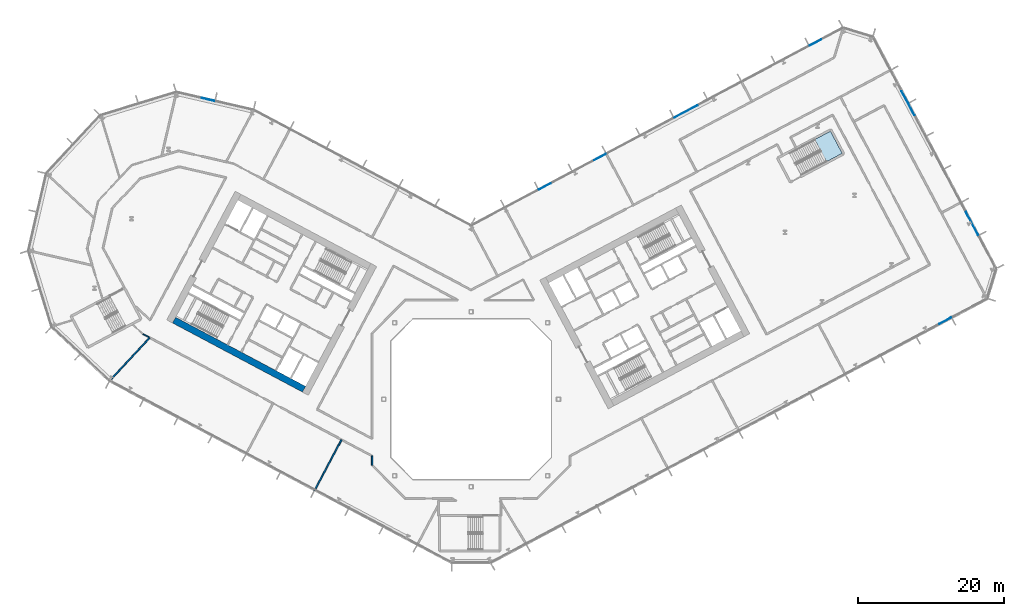
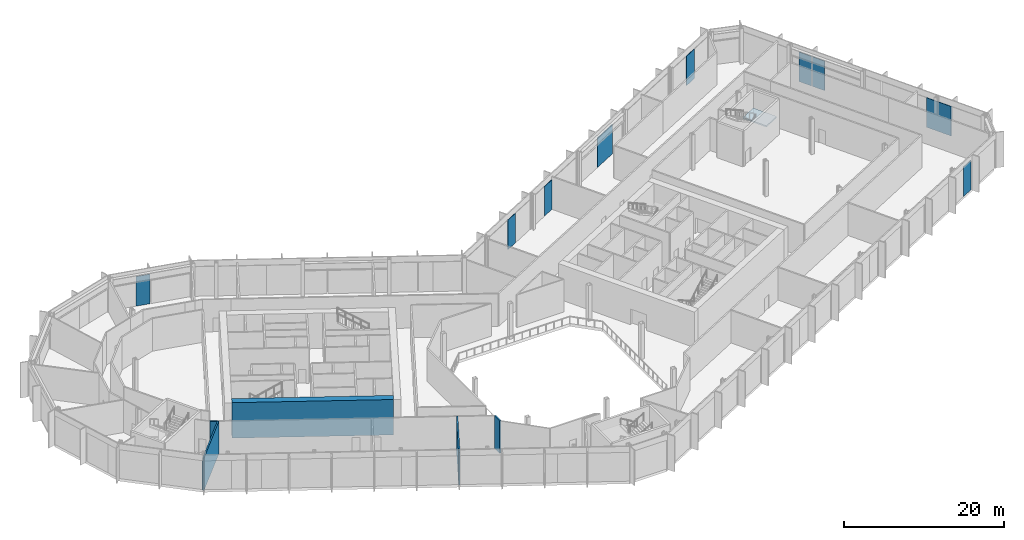
# One storey, part 11 of 31: 9 plates, 5 walls, 1 slab, 5 elements without a shape of their own.
"""IFC4 building model written with IfcOpenShell, lengths in metres."""

from ifc_helpers import new_model, si_unit, direction, frame, frame_2d, origin, origin_2d, place, context, subcontext, project, spatial, polyline, rectangle, outline, extrude, material, layer, layer_set, type_object, element, aggregate, save


model = new_model("IFC4")

# Units and contexts
model_context = context("Model", 3, precision=1e-05, world=origin(), true_north=direction((0.0, 1.0)))
body_context = subcontext(model_context, "Body", "Model", "MODEL_VIEW")
ifc_project = project(units=[si_unit("LENGTHUNIT", "METRE"), si_unit("AREAUNIT", "SQUARE_METRE"), si_unit("VOLUMEUNIT", "CUBIC_METRE"), si_unit("PLANEANGLEUNIT", "RADIAN"), si_unit("MASSUNIT", "GRAM", prefix="KILO")], contexts=[model_context])

# Site, building, storey
site_placement = place(None, origin())
site = spatial("IfcSite", under=ifc_project, at=site_placement, CompositionType="ELEMENT")
building_placement = place(site_placement, origin())
building = spatial("IfcBuilding", under=site, at=building_placement, Name="Cormorant Relay Tower", CompositionType="ELEMENT")
storey_placement = place(building_placement, frame((0.0, 0.0, 23.0)))
storey = spatial("IfcBuildingStorey", under=building, at=storey_placement, Name="L04", CompositionType="ELEMENT", Elevation=23.0)

# Curtain wall, plate
ifc_material_1 = material(Name="Aluminium 6063-T6 anodised bronze", Category="aluminium")
ifc_layer_1 = layer(ifc_material_1, 0.235107421875)
ifc_layer_set_1 = layer_set([ifc_layer_1], Name="CW6 data hall curtain wall with mineral wool panels")
curtain_wall_type = type_object("IfcCurtainWallType", Name="CW6 data hall curtain wall with mineral wool panels", PredefinedType="NOTDEFINED", material=ifc_layer_set_1)
curtain_wall_1_placement = place(storey_placement, origin())
curtain_wall_1 = element("IfcCurtainWall", 1, at=curtain_wall_1_placement, inside=storey, type_object=curtain_wall_type, Name="CW6 curtain wall 2", PredefinedType="NOTDEFINED")
ifc_material_2 = material(Name="Tinted triple-glazed laminated unit")
ifc_layer_2 = layer(ifc_material_2, 0.074951171875)
ifc_layer_set_2 = layer_set([ifc_layer_2], Name="CW6 triple-glazed vision unit 1800 module")
plate_type_1 = type_object("IfcPlateType", Name="CW6 triple-glazed vision unit 1800 module", PredefinedType="CURTAIN_PANEL", material=ifc_layer_set_2)
plate_1_placement = place(storey_placement, frame((65.072265625, 10.773193359375, 0.0), z_axis=(0.0, 0.0, 1.0), x_axis=(0.882947592859, 0.469471562786, 0.0)))
plate_1 = element("IfcPlate", 2, at=plate_1_placement, type_object=plate_type_1, Name="CW6 panel V12", PredefinedType="CURTAIN_PANEL", context=body_context, shape_type="SweptSolid", body=[
    extrude(rectangle(XDim=1.800048828125, YDim=0.074951171875, at=origin_2d()), origin(), (0.0, 0.0, 1.0), 4.5),
])
aggregate(curtain_wall_1, [plate_1])

# Curtain wall, plates
curtain_wall_2_placement = place(storey_placement, origin())
curtain_wall_2 = element("IfcCurtainWall", 3, at=curtain_wall_2_placement, inside=storey, type_object=curtain_wall_type, Name="CW6 curtain wall 4", PredefinedType="NOTDEFINED")
plate_2_placement = place(storey_placement, frame((60.44140625, 39.77001953125, 0.0), z_axis=(0.0, 0.0, 1.0), x_axis=(-0.469471562786, 0.882947592859, 0.0)))
plate_2 = element("IfcPlate", 4, at=plate_2_placement, type_object=plate_type_1, Name="CW6 panel V04", PredefinedType="CURTAIN_PANEL", context=body_context, shape_type="SweptSolid", body=[
    extrude(rectangle(XDim=1.800048828125, YDim=0.074951171875, at=origin_2d()), origin(), (0.0, 0.0, 1.0), 4.5),
])
plate_3_placement = place(storey_placement, frame((59.52587890625, 41.49169921875, 0.0), z_axis=(0.0, 0.0, 1.0), x_axis=(-0.469471562786, 0.882947592859, 0.0)))
plate_3 = element("IfcPlate", 5, at=plate_3_placement, type_object=plate_type_1, Name="CW6 panel V05", PredefinedType="CURTAIN_PANEL", context=body_context, shape_type="SweptSolid", body=[
    extrude(rectangle(XDim=1.800048828125, YDim=0.074951171875, at=origin_2d()), origin(), (0.0, 0.0, 1.0), 4.5),
])

curtain_wall_3_placement = place(storey_placement, origin())
curtain_wall_3 = element("IfcCurtainWall", 6, at=curtain_wall_3_placement, inside=storey, type_object=curtain_wall_type, Name="CW6 curtain wall 6", PredefinedType="NOTDEFINED")
plate_4_placement = place(storey_placement, frame((47.265380859375, 48.9580078125, 0.0), z_axis=(0.0, 0.0, 1.0), x_axis=(-0.882947592859, -0.469471562786, 0.0)))
plate_4 = element("IfcPlate", 7, at=plate_4_placement, type_object=plate_type_1, Name="CW6 panel V01", PredefinedType="CURTAIN_PANEL", context=body_context, shape_type="SweptSolid", body=[
    extrude(rectangle(XDim=1.800048828125, YDim=0.074951171875, at=origin_2d()), origin(), (0.0, 0.0, 1.0), 4.5),
])
plate_5_placement = place(storey_placement, frame((17.6904296875, 33.232666015625, 0.0), z_axis=(0.0, 0.0, 1.0), x_axis=(-0.882947592859, -0.469471562786, 0.0)))
plate_5 = element("IfcPlate", 8, at=plate_5_placement, type_object=plate_type_1, Name="CW6 panel V06", PredefinedType="CURTAIN_PANEL", context=body_context, shape_type="SweptSolid", body=[
    extrude(rectangle(XDim=1.800048828125, YDim=0.074951171875, at=origin_2d()), origin(), (0.0, 0.0, 1.0), 4.5),
])
plate_6_placement = place(storey_placement, frame((10.127685546875, 29.21142578125, 0.0), z_axis=(0.0, 0.0, 1.0), x_axis=(-0.882947592859, -0.469471562786, 0.0)))
plate_6 = element("IfcPlate", 9, at=plate_6_placement, type_object=plate_type_1, Name="CW6 panel V08", PredefinedType="CURTAIN_PANEL", context=body_context, shape_type="SweptSolid", body=[
    extrude(rectangle(XDim=1.800048828125, YDim=0.074951171875, at=origin_2d()), origin(), (0.0, 0.0, 1.0), 4.5),
])

# Curtain wall, plate
curtain_wall_4_placement = place(storey_placement, origin())
curtain_wall_4 = element("IfcCurtainWall", 10, at=curtain_wall_4_placement, inside=storey, type_object=curtain_wall_type, Name="CW6 curtain wall 8", PredefinedType="NOTDEFINED")
plate_7_placement = place(storey_placement, frame((-36.111083984375, 41.146484375, 0.0), z_axis=(0.0, 0.0, 1.0), x_axis=(-0.974370064785, 0.224951054344, 0.0)))
plate_7 = element("IfcPlate", 11, at=plate_7_placement, type_object=plate_type_1, Name="CW6 panel V01", PredefinedType="CURTAIN_PANEL", context=body_context, shape_type="SweptSolid", body=[
    extrude(rectangle(XDim=1.800048828125, YDim=0.074951171875, at=origin_2d()), origin(), (0.0, 0.0, 1.0), 4.5),
])
aggregate(curtain_wall_4, [plate_7])

# Plate
ifc_material_3 = material(Name="Tinted triple-glazed laminated unit")
ifc_layer_3 = layer(ifc_material_3, 0.074951171875)
ifc_layer_set_3 = layer_set([ifc_layer_3], Name="CW6 triple-glazed vision unit 3600 module")
plate_type_2 = type_object("IfcPlateType", Name="CW6 triple-glazed vision unit 3600 module", PredefinedType="CURTAIN_PANEL", material=ifc_layer_set_3)
plate_8_placement = place(storey_placement, frame((68.760986328125, 24.122802734375, 0.0), z_axis=(0.0, 0.0, 1.0), x_axis=(-0.469471562786, 0.882947592859, 0.0)))
plate_8 = element("IfcPlate", 12, at=plate_8_placement, type_object=plate_type_2, Name="CW6 panel V01", PredefinedType="CURTAIN_PANEL", context=body_context, shape_type="SweptSolid", body=[
    extrude(rectangle(XDim=3.60009765625, YDim=0.074951171875, at=origin_2d()), origin(), (0.0, 0.0, 1.0), 4.5),
])

aggregate(curtain_wall_2, [plate_8, plate_2, plate_3])

plate_9_placement = place(storey_placement, frame((29.4912109375, 39.507080078125, 0.0), z_axis=(0.0, 0.0, 1.0), x_axis=(-0.882947592859, -0.469471562786, 0.0)))
plate_9 = element("IfcPlate", 13, at=plate_9_placement, type_object=plate_type_2, Name="CW6 panel V04", PredefinedType="CURTAIN_PANEL", context=body_context, shape_type="SweptSolid", body=[
    extrude(rectangle(XDim=3.60009765625, YDim=0.074951171875, at=origin_2d()), origin(), (0.0, 0.0, 1.0), 4.5),
])

aggregate(curtain_wall_3, [plate_4, plate_9, plate_5, plate_6])

# Stair, slab
ifc_material_4 = material(Name="Concrete 40 MPa", Category="concrete")
stair_type = type_object("IfcStairType", Name="Exit stair 1500", PredefinedType="HALF_TURN_STAIR", material=ifc_material_4)
stair_placement = place(storey_placement, origin())
stair = element("IfcStair", 14, at=stair_placement, inside=storey, type_object=stair_type, Name="L04 Stair", PredefinedType="HALF_TURN_STAIR")
ifc_material_5 = material(Name="Concrete 40 MPa", Category="concrete")
ifc_layer_4 = layer(ifc_material_5, 0.199951171875)
ifc_layer_set_4 = layer_set([ifc_layer_4], Name="Exit stair landing 200")
slab_type = type_object("IfcSlabType", Name="Exit stair landing 200", PredefinedType="LANDING", material=ifc_layer_set_4)
slab_placement = place(storey_placement, frame((0.0, 0.0, 2.5)))
slab = element("IfcSlab", 15, at=slab_placement, type_object=slab_type, Name="RB1 landing 1", PredefinedType="LANDING", context=body_context, shape_type="SweptSolid", body=[
    extrude(outline(polyline([(48.796142578125, 32.614013671875), (50.941650390625, 33.7548828125), (49.322021484375, 36.801025390625), (47.17626953125, 35.66015625), (48.796142578125, 32.614013671875)])), origin(), (0.0, 0.0, 1.0), 0.199951171875),
])
aggregate(stair, [slab])

# Walls
ifc_material_6 = material(Name="Concrete 70 MPa", Category="concrete")
ifc_layer_5 = layer(ifc_material_6, 0.89990234375)
ifc_layer_set_5 = layer_set([ifc_layer_5], Name="Core wall 900")
wall_type_1 = type_object("IfcWallType", Name="Core wall 900", PredefinedType="SHEAR", material=ifc_layer_set_5)
wall_1_placement = place(storey_placement, frame((-22.93701171875, 1.3798828125, 0.0), z_axis=(0.0, 0.0, 1.0), x_axis=(-0.88295276571, 0.46946183394, 0.0)))
element("IfcWall", 16, at=wall_1_placement, inside=storey, type_object=wall_type_1, Name="L04 core A wall", PredefinedType="SHEAR", context=body_context, shape_type="SweptSolid", body=[
    extrude(rectangle(XDim=20.199951171875, YDim=0.89990234375, at=frame_2d((10.10009765625, 0.0))), origin(), (0.0, 0.0, 1.0), 5.39990234375),
])
ifc_material_7 = material(Name="Fire-rated gypsum board partition")
ifc_layer_6 = layer(ifc_material_7, 0.199951171875)
ifc_layer_set_6 = layer_set([ifc_layer_6], Name="Fire-rated gypsum partition 200")
wall_type_2 = type_object("IfcWallType", Name="Fire-rated gypsum partition 200", PredefinedType="PARTITIONING", material=ifc_layer_set_6)
wall_2_placement = place(storey_placement, frame((-44.1201171875, 8.451904296875, 0.0), z_axis=(0.0, 0.0, 1.0), x_axis=(-0.682009555742, -0.731343261319, 0.0)))
element("IfcWall", 17, at=wall_2_placement, inside=storey, type_object=wall_type_2, Name="wall/L04/part/10", PredefinedType="PARTITIONING", context=body_context, shape_type="SweptSolid", body=[
    extrude(rectangle(XDim=8.229736328125, YDim=0.199951171875, at=frame_2d((4.11474609375, 0.0))), origin(), (0.0, 0.0, 1.0), 4.949951171875),
])
wall_3_placement = place(storey_placement, frame((-13.60009765625, -9.076904296875, 0.0), z_axis=(0.0, 0.0, 1.0), x_axis=(0.0, 1.0, 0.0)))
element("IfcWall", 18, at=wall_3_placement, inside=storey, type_object=wall_type_2, Name="wall/L04/part/23", PredefinedType="PARTITIONING", context=body_context, shape_type="SweptSolid", body=[
    extrude(rectangle(XDim=1.302001953125, YDim=0.199951171875, at=frame_2d((0.65087890625, 0.0))), origin(), (0.0, 0.0, 1.0), 4.949951171875),
])
wall_4_placement = place(storey_placement, frame((-17.787109375, -5.549072265625, 0.0), z_axis=(0.0, 0.0, 1.0), x_axis=(-0.469551855795, -0.882904895625, 0.0)))
element("IfcWall", 19, at=wall_4_placement, inside=storey, type_object=wall_type_2, Name="wall/L04/part/32", PredefinedType="PARTITIONING", context=body_context, shape_type="SweptSolid", body=[
    extrude(rectangle(XDim=7.949951171875, YDim=0.199951171875, at=frame_2d((3.97509765625, 0.0))), origin(), (0.0, 0.0, 1.0), 4.949951171875),
])
ifc_material_8 = material(Name="Gypsum board partition")
ifc_layer_7 = layer(ifc_material_8, 0.14990234375)
ifc_layer_set_7 = layer_set([ifc_layer_7], Name="Gypsum board partition 150")
wall_type_3 = type_object("IfcWallType", Name="Gypsum board partition 150", PredefinedType="PARTITIONING", material=ifc_layer_set_7)
wall_5_placement = place(storey_placement, frame((-44.181884765625, 8.486083984375, 0.0), z_axis=(0.0, 0.0, 1.0), x_axis=(-0.883256863702, 0.468889446163, 0.0)))
element("IfcWall", 20, at=wall_5_placement, inside=storey, type_object=wall_type_3, Name="wall/L04/part/21", PredefinedType="PARTITIONING", context=body_context, shape_type="SweptSolid", body=[
    extrude(rectangle(XDim=0.985107421875, YDim=0.14990234375, at=frame_2d((0.49267578125, 0.0))), origin(), (0.0, 0.0, 1.0), 4.949951171875),
])

save(model, "model.ifc")
